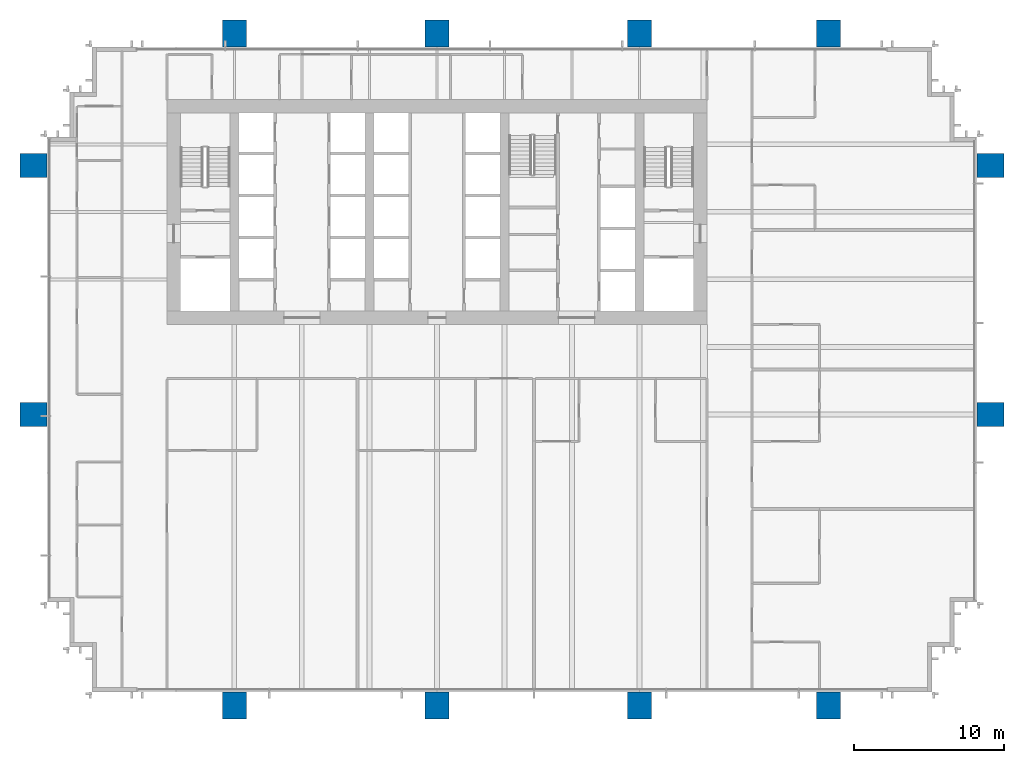
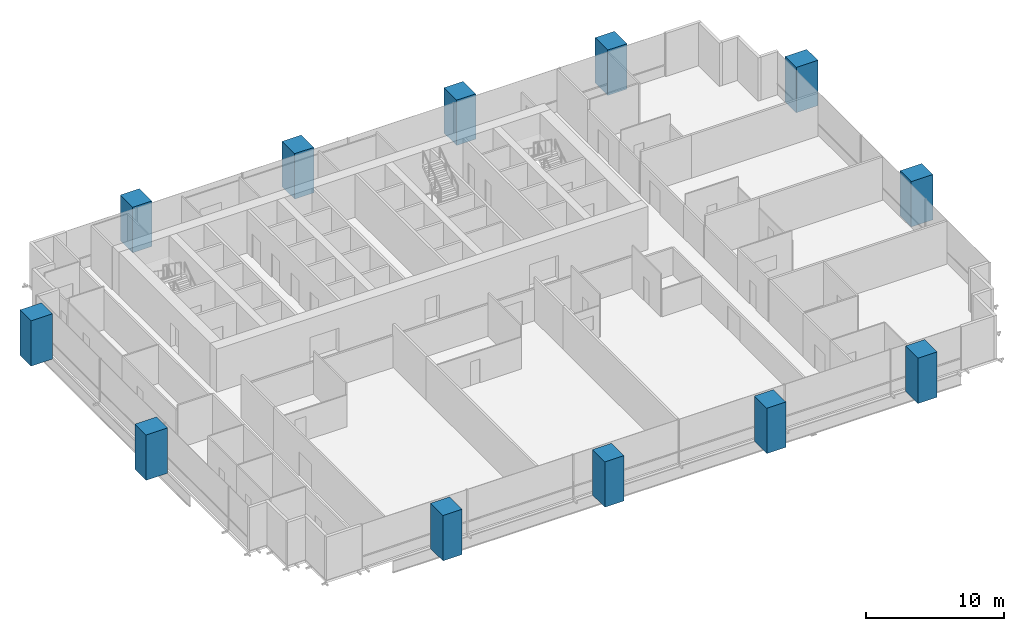
# One storey, part 1 of 17: 12 columns.
"""IFC4 building model written with IfcOpenShell, lengths in metres."""

from ifc_helpers import new_model, si_unit, direction, frame, origin, origin_2d, place, context, subcontext, project, spatial, rectangle, extrude, material, material_profile, profile_set, type_object, element, save


model = new_model("IFC4")

# Units and contexts
model_context = context("Model", 3, precision=1e-05, world=origin(), true_north=direction((0.0, 1.0)))
body_context = subcontext(model_context, "Body", "Model", "MODEL_VIEW")
ifc_project = project(units=[si_unit("LENGTHUNIT", "METRE"), si_unit("AREAUNIT", "SQUARE_METRE"), si_unit("VOLUMEUNIT", "CUBIC_METRE"), si_unit("PLANEANGLEUNIT", "RADIAN"), si_unit("MASSUNIT", "GRAM", prefix="KILO")], contexts=[model_context])

# Site, building, storey
site_placement = place(None, origin())
site = spatial("IfcSite", under=ifc_project, at=site_placement, CompositionType="ELEMENT")
building_placement = place(site_placement, origin())
building = spatial("IfcBuilding", under=site, at=building_placement, Name="Rattan Terrace Tower", CompositionType="ELEMENT")
storey_placement = place(building_placement, frame((0.0, 0.0, 107.699951171875)))
storey = spatial("IfcBuildingStorey", under=building, at=storey_placement, Name="L24", CompositionType="ELEMENT", Elevation=107.699951171875)

# Columns
ifc_material = material(Name="Concrete C60/75", Category="concrete")
ifc_material_profile = material_profile(ifc_material, rectangle(XDim=1.60009765625, YDim=1.800048828125, at=origin_2d()), Name="CFT 1800x1600")
ifc_profile_set = profile_set([ifc_material_profile], Name="Concrete C60/75")
column_type = type_object("IfcColumnType", Name="Frame exoskeleton column CFT 1800x1600", PredefinedType="COLUMN", material=ifc_profile_set)
for number, where, z_axis, x_axis, name in (
    (1, (-13.5, -32.89990234375, -0.199951171875), (0.0, 0.0, 1.0), (1.0, 0.0, 0.0), "exo-L24-001"),
    (2, (0.0, -32.89990234375, -0.199951171875), (0.0, 0.0, 1.0), (1.0, 0.0, 0.0), "exo-L24-002"),
    (3, (13.5, -32.89990234375, -0.199951171875), (0.0, 0.0, 1.0), (1.0, 0.0, 0.0), "exo-L24-003"),
    (4, (26.10009765625, -32.89990234375, -0.199951171875), (0.0, 0.0, 1.0), (1.0, 0.0, 0.0), "exo-L24-004"),
    (5, (-26.89990234375, -13.5, -0.199951171875), (0.0, 0.0, 1.0), (0.0, 1.0, 0.0), "exo-L24-005"),
    (6, (36.89990234375, -13.5, -0.199951171875), (0.0, 0.0, 1.0), (0.0, 1.0, 0.0), "exo-L24-006"),
    (7, (-26.89990234375, 3.10009765625, -0.199951171875), (0.0, 0.0, 1.0), (0.0, 1.0, 0.0), "exo-L24-007"),
    (8, (36.89990234375, 3.10009765625, -0.199951171875), (0.0, 0.0, 1.0), (0.0, 1.0, 0.0), "exo-L24-008"),
    (9, (-13.5, 11.89990234375, -0.199951171875), (0.0, 0.0, 1.0), (1.0, 0.0, 0.0), "exo-L24-009"),
    (10, (0.0, 11.89990234375, -0.199951171875), (0.0, 0.0, 1.0), (1.0, 0.0, 0.0), "exo-L24-010"),
    (11, (13.5, 11.89990234375, -0.199951171875), (0.0, 0.0, 1.0), (1.0, 0.0, 0.0), "exo-L24-011"),
    (12, (26.10009765625, 11.89990234375, -0.199951171875), (0.0, 0.0, 1.0), (1.0, 0.0, 0.0), "exo-L24-012"),
):
    element("IfcColumn", number, at=place(storey_placement, frame(where, z_axis=z_axis, x_axis=x_axis)), inside=storey, type_object=column_type, Name=name, PredefinedType="COLUMN", context=body_context, shape_type="SweptSolid", body=[
        extrude(rectangle(XDim=1.60009765625, YDim=1.800048828125, at=origin_2d()), origin(), (0.0, 0.0, 1.0), 4.0),
    ])

save(model, "model.ifc")
